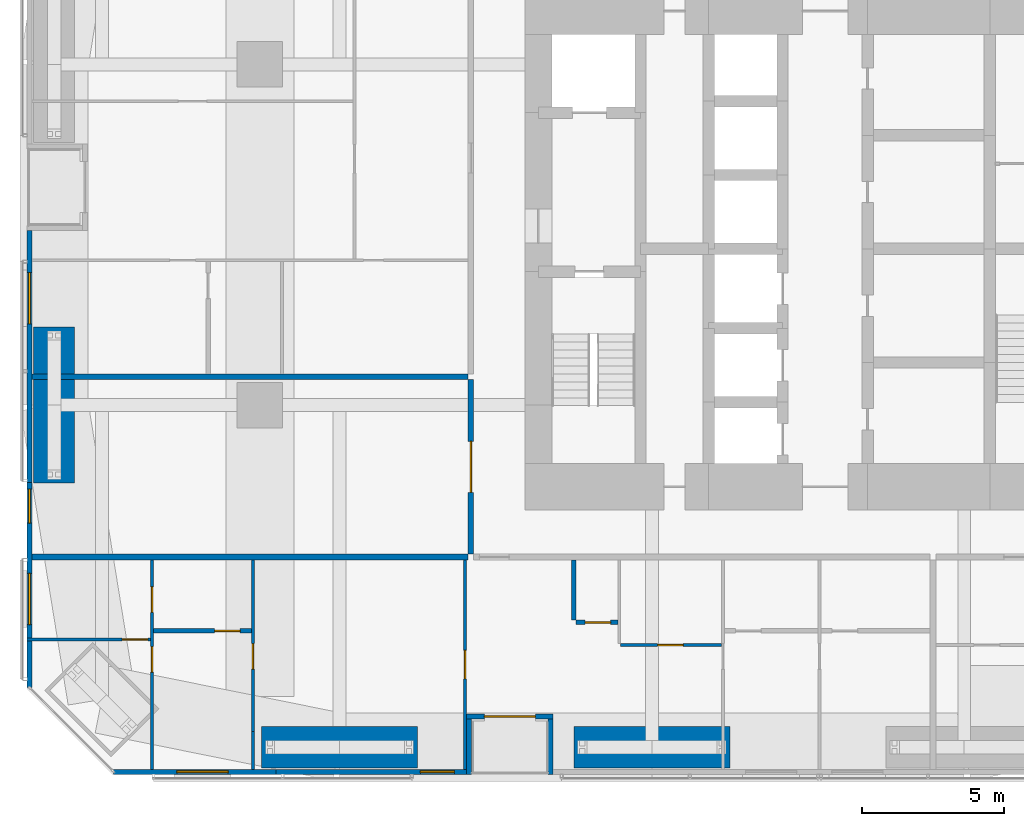
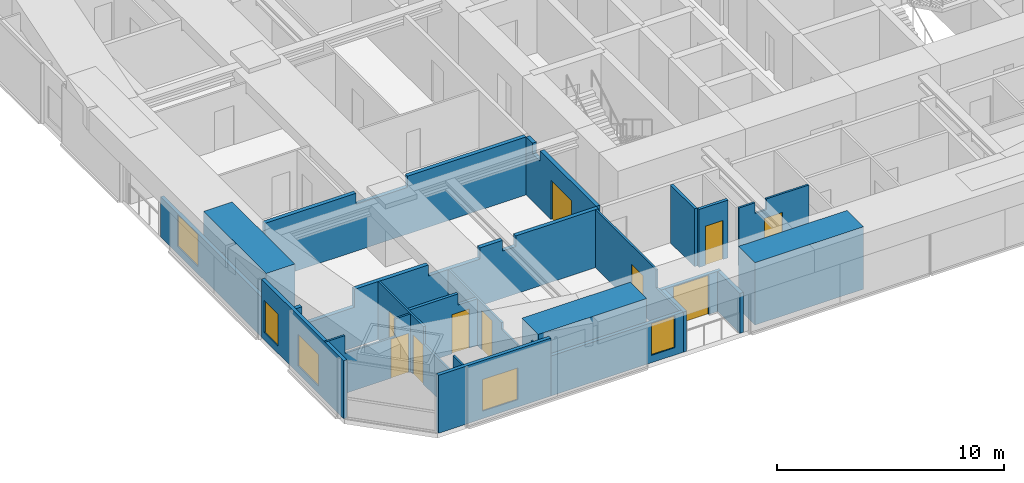
# One storey, part 15 of 22: 22 walls, 10 doors, 5 windows, 15 openings.
"""IFC4 building model written with IfcOpenShell, lengths in metres."""

from ifc_helpers import new_model, si_unit, direction, frame, frame_2d, origin, place, context, subcontext, project, spatial, polyline, rectangle, outline, extrude, material, layer, layer_set, constituent, constituent_set, type_object, element, fill, save


model = new_model("IFC4")

# Units and contexts
model_context = context("Model", 3, precision=1e-05, world=origin(), true_north=direction((0.0, 1.0)))
body_context = subcontext(model_context, "Body", "Model", "MODEL_VIEW")
ifc_project = project(units=[si_unit("LENGTHUNIT", "METRE"), si_unit("AREAUNIT", "SQUARE_METRE"), si_unit("VOLUMEUNIT", "CUBIC_METRE"), si_unit("PLANEANGLEUNIT", "RADIAN"), si_unit("MASSUNIT", "GRAM", prefix="KILO")], contexts=[model_context])

# Site, building, storey
site_placement = place(None, origin())
site = spatial("IfcSite", under=ifc_project, at=site_placement, CompositionType="ELEMENT")
building_placement = place(site_placement, origin())
building = spatial("IfcBuilding", under=site, at=building_placement, Name="Jalousie Tower", CompositionType="ELEMENT")
storey_placement = place(building_placement, frame((0.0, 0.0, 67.89990234375)))
storey = spatial("IfcBuildingStorey", under=building, at=storey_placement, Name="L18", CompositionType="ELEMENT", Elevation=67.89990234375)

# Wall, opening, door
ifc_material_1 = material(Name="Concrete block ASTM C90", Category="concrete")
ifc_constituent_1 = constituent(ifc_material_1, Name="Body")
ifc_material_2 = material(Name="Render")
ifc_constituent_2 = constituent(ifc_material_2, Name="Finish")
ifc_constituent_set_1 = constituent_set(constituents=[ifc_constituent_1, ifc_constituent_2])
wall_type_1 = type_object("IfcWallType", Name="BATHROOM WALL 150", PredefinedType="PLUMBINGWALL", material=ifc_constituent_set_1)
wall_1_placement = place(storey_placement, frame((6.449951171875, 5.050048828125, 0.0), z_axis=(0.0, 0.0, 1.0), x_axis=(1.0, 0.0, 0.0)))
wall_1 = element("IfcWall", 1, at=wall_1_placement, inside=storey, type_object=wall_type_1, Name="Bathroom Wall 150 L18", PredefinedType="PLUMBINGWALL", context=body_context, shape_type="SweptSolid", body=[
    extrude(outline(polyline([(0.0, 0.0), (3.449951171875, 0.0), (3.449951171875, 3.110107421875), (3.449951171875, 2.510009765625), (2.465087890625, 2.510009765625), (2.465087890625, 3.110107421875), (0.0, 3.110107421875), (0.0, 0.0)])), frame((0.0, 0.074951171875, 0.0), z_axis=(0.0, -1.0, 0.0), x_axis=(1.0, 0.0, 0.0)), (0.0, 0.0, 1.0), 0.14990234375),
])
opening_1_placement = place(wall_1_placement, frame((2.14990234375, 0.0, 0.0)))
opening_1 = element("IfcOpeningElement", 2, at=opening_1_placement, cuts=wall_1, Name="Opening D3", PredefinedType="OPENING", context=body_context, shape_type="SweptSolid", body=[
    extrude(rectangle(XDim=0.89990234375, YDim=2.10009765625, at=frame_2d((0.449951171875, 1.050048828125))), frame((0.0, 0.0849609375, 0.0), z_axis=(0.0, -1.0, 0.0), x_axis=(1.0, 0.0, 0.0)), (0.0, 0.0, 1.0), 0.169921875),
])
ifc_material_3 = material(Name="Timber door", Category="wood")
door_type_1 = type_object("IfcDoorType", Name="BATHROOM DOOR 900", OperationType="SINGLE_SWING_LEFT", PredefinedType="DOOR", material=ifc_material_3)
door_1_placement = place(opening_1_placement, origin())
door_1 = element("IfcDoor", 3, at=door_1_placement, inside=storey, type_object=door_type_1, Name="Apartment 1801 bedroom 2 bathroom door", OperationType="SINGLE_SWING_RIGHT", OverallHeight=2.10009765625, OverallWidth=0.89990234375, PredefinedType="DOOR", context=body_context, shape_type="SweptSolid", body=[
    extrude(rectangle(XDim=0.89990234375, YDim=2.10009765625, at=frame_2d((0.449951171875, 1.050048828125))), frame((0.0, 0.02490234375, 0.0), z_axis=(0.0, -1.0, 0.0), x_axis=(1.0, 0.0, 0.0)), (0.0, 0.0, 1.0), 0.050048828125),
])
fill(opening_1, door_1)

wall_2_placement = place(storey_placement, frame((21.324951171875, 5.35009765625, 0.0), z_axis=(0.0, 0.0, 1.0), x_axis=(1.0, 0.0, 0.0)))
wall_2 = element("IfcWall", 4, at=wall_2_placement, inside=storey, type_object=wall_type_1, Name="Bathroom Wall 150 L18", PredefinedType="PLUMBINGWALL", context=body_context, shape_type="SweptSolid", body=[
    extrude(rectangle(XDim=1.47509765625, YDim=0.14990234375, at=frame_2d((0.737548828125, 0.0))), origin(), (0.0, 0.0, 1.0), 3.110107421875),
])
opening_2_placement = place(wall_2_placement, frame((0.324951171875, 0.0, 0.0)))
opening_2 = element("IfcOpeningElement", 5, at=opening_2_placement, cuts=wall_2, Name="Opening D7", PredefinedType="OPENING", context=body_context, shape_type="SweptSolid", body=[
    extrude(rectangle(XDim=0.89990234375, YDim=2.10009765625, at=frame_2d((0.449951171875, 1.050048828125))), frame((0.0, 0.0849609375, 0.0), z_axis=(0.0, -1.0, 0.0), x_axis=(1.0, 0.0, 0.0)), (0.0, 0.0, 1.0), 0.169921875),
])
ifc_material_4 = material(Name="Timber door", Category="wood")
door_type_2 = type_object("IfcDoorType", Name="INTERNAL DOOR 900", OperationType="SINGLE_SWING_LEFT", PredefinedType="DOOR", material=ifc_material_4)
door_2_placement = place(opening_2_placement, origin())
door_2 = element("IfcDoor", 6, at=door_2_placement, inside=storey, type_object=door_type_2, Name="Apartment 1801 guest WC door", OperationType="SINGLE_SWING_RIGHT", OverallHeight=2.10009765625, OverallWidth=0.89990234375, PredefinedType="DOOR", context=body_context, shape_type="SweptSolid", body=[
    extrude(rectangle(XDim=0.89990234375, YDim=2.10009765625, at=frame_2d((0.449951171875, 1.050048828125))), frame((0.0, 0.02490234375, 0.0), z_axis=(0.0, -1.0, 0.0), x_axis=(1.0, 0.0, 0.0)), (0.0, 0.0, 1.0), 0.050048828125),
])
fill(opening_2, door_2)

# Wall
wall_3_placement = place(storey_placement, frame((21.25, 5.425048828125, 0.0), z_axis=(0.0, 0.0, 1.0), x_axis=(0.0, 1.0, 0.0)))
element("IfcWall", 7, at=wall_3_placement, inside=storey, type_object=wall_type_1, Name="Bathroom Wall 150 L18", PredefinedType="PLUMBINGWALL", context=body_context, shape_type="SweptSolid", body=[
    extrude(rectangle(XDim=2.125, YDim=0.14990234375, at=frame_2d((1.0625, 0.0))), origin(), (0.0, 0.0, 1.0), 3.110107421875),
])

# Wall, opening, door
ifc_material_5 = material(Name="Concrete block ASTM C90", Category="concrete")
ifc_constituent_3 = constituent(ifc_material_5, Name="Body")
ifc_material_6 = material(Name="Render")
ifc_constituent_4 = constituent(ifc_material_6, Name="Finish")
ifc_constituent_set_2 = constituent_set(constituents=[ifc_constituent_3, ifc_constituent_4])
wall_type_2 = type_object("IfcWallType", Name="CORRIDOR WALL 200", PredefinedType="PARTITIONING", material=ifc_constituent_set_2)
wall_4_placement = place(storey_placement, frame((17.625, 7.75, 0.0), z_axis=(0.0, 0.0, 1.0), x_axis=(0.0, 1.0, 0.0)))
wall_4 = element("IfcWall", 8, at=wall_4_placement, inside=storey, type_object=wall_type_2, Name="Corridor Wall 200 L18", PredefinedType="PARTITIONING", context=body_context, shape_type="SweptSolid", body=[
    extrude(outline(polyline([(0.0, 0.0), (6.14990234375, 0.0), (6.14990234375, 3.110107421875), (5.58740234375, 3.110107421875), (5.58740234375, 2.541015625), (4.91259765625, 2.541015625), (4.91259765625, 3.110107421875), (0.0, 3.110107421875), (0.0, 0.0)])), frame((0.0, 0.10009765625, 0.0), z_axis=(0.0, -1.0, 0.0), x_axis=(1.0, 0.0, 0.0)), (0.0, 0.0, 1.0), 0.199951171875),
])
opening_3_placement = place(wall_4_placement, frame((2.175048828125, 0.0, 0.0)))
opening_3 = element("IfcOpeningElement", 9, at=opening_3_placement, cuts=wall_4, Name="Opening D22", PredefinedType="OPENING", context=body_context, shape_type="SweptSolid", body=[
    extrude(rectangle(XDim=1.800048828125, YDim=2.10009765625, at=frame_2d((0.89990234375, 1.050048828125))), frame((0.0, 0.10986328125, 0.0), z_axis=(0.0, -1.0, 0.0), x_axis=(1.0, 0.0, 0.0)), (0.0, 0.0, 1.0), 0.219970703125),
])
ifc_material_7 = material(Name="Timber fire door", Category="wood")
door_type_3 = type_object("IfcDoorType", Name="CORRIDOR DOUBLE DOOR 1800", OperationType="DOUBLE_DOOR_SINGLE_SWING", PredefinedType="DOOR", material=ifc_material_7)
door_3_placement = place(opening_3_placement, origin())
door_3 = element("IfcDoor", 10, at=door_3_placement, inside=storey, type_object=door_type_3, Name="Residents' study door", OperationType="DOUBLE_DOOR_SINGLE_SWING", OverallHeight=2.10009765625, OverallWidth=1.800048828125, PredefinedType="DOOR", context=body_context, shape_type="SweptSolid", body=[
    extrude(rectangle(XDim=1.800048828125, YDim=2.10009765625, at=frame_2d((0.89990234375, 1.050048828125))), frame((0.0, 0.02490234375, 0.0), z_axis=(0.0, -1.0, 0.0), x_axis=(1.0, 0.0, 0.0)), (0.0, 0.0, 1.0), 0.050048828125),
])
fill(opening_3, door_3)

# Wall, opening, window
ifc_material_8 = material(Name="Concrete f'c 40 MPa", Category="concrete")
ifc_constituent_5 = constituent(ifc_material_8, Name="Body")
ifc_material_9 = material(Name="Render, pastel coral")
ifc_constituent_6 = constituent(ifc_material_9, Name="Finish")
ifc_constituent_set_3 = constituent_set(constituents=[ifc_constituent_5, ifc_constituent_6])
wall_type_3 = type_object("IfcWallType", Name="EXTERNAL WALL 175 CORAL RENDER", PredefinedType="SOLIDWALL", material=ifc_constituent_set_3)
wall_5_placement = place(storey_placement, frame((5.05126953125, 0.08740234375, 0.0), z_axis=(0.0, 0.0, 1.0), x_axis=(1.0, 0.0, 0.0)))
wall_5 = element("IfcWall", 11, at=wall_5_placement, inside=storey, type_object=wall_type_3, Name="External Wall 175 Coral Render L18-A", PredefinedType="SOLIDWALL", context=body_context, shape_type="SweptSolid", body=[
    extrude(rectangle(XDim=5.714111328125, YDim=0.175048828125, at=frame_2d((2.85693359375, 0.0))), origin(), (0.0, 0.0, 1.0), 3.110107421875),
])
opening_4_placement = place(wall_5_placement, frame((2.2236328125, 0.0, 0.39990234375)))
opening_4 = element("IfcOpeningElement", 12, at=opening_4_placement, cuts=wall_5, Name="Opening W-BED170", PredefinedType="OPENING", context=body_context, shape_type="SweptSolid", body=[
    extrude(rectangle(XDim=1.800048828125, YDim=1.699951171875, at=frame_2d((0.89990234375, 0.85009765625))), frame((0.0, 0.097412109375, 0.0), z_axis=(0.0, -1.0, 0.0), x_axis=(1.0, 0.0, 0.0)), (0.0, 0.0, 1.0), 0.195068359375),
])
ifc_material_10 = material(Name="Aluminium frame, impact-rated glazing", Category="aluminium")
window_type_1 = type_object("IfcWindowType", Name="WINDOW BED 1800x1700", PartitioningType="SINGLE_PANEL", PredefinedType="WINDOW", material=ifc_material_10)
window_1_placement = place(opening_4_placement, origin())
window_1 = element("IfcWindow", 13, at=window_1_placement, inside=storey, type_object=window_type_1, Name="Apartment 1801 bedroom 2 window", OverallHeight=1.699951171875, OverallWidth=1.800048828125, PartitioningType="SINGLE_PANEL", PredefinedType="WINDOW", context=body_context, shape_type="SweptSolid", body=[
    extrude(rectangle(XDim=1.800048828125, YDim=1.699951171875, at=frame_2d((0.89990234375, 0.85009765625))), frame((0.0, 0.030029296875, 0.0), z_axis=(0.0, -1.0, 0.0), x_axis=(1.0, 0.0, 0.0)), (0.0, 0.0, 1.0), 0.06005859375),
])
fill(opening_4, window_1)

wall_6_placement = place(storey_placement, frame((10.765380859375, 0.08740234375, 0.0), z_axis=(0.0, 0.0, 1.0), x_axis=(1.0, 0.0, 0.0)))
wall_6 = element("IfcWall", 14, at=wall_6_placement, inside=storey, type_object=wall_type_3, Name="External Wall 175 Coral Render L18-B", PredefinedType="SOLIDWALL", context=body_context, shape_type="SweptSolid", body=[
    extrude(rectangle(XDim=6.709716796875, YDim=0.175048828125, at=frame_2d((3.35498046875, 0.0))), origin(), (0.0, 0.0, 1.0), 2.150146484375),
])
opening_5_placement = place(wall_6_placement, frame((5.084716796875, 0.0, 0.39990234375)))
opening_5 = element("IfcOpeningElement", 15, at=opening_5_placement, cuts=wall_6, Name="Opening W-COR170", PredefinedType="OPENING", context=body_context, shape_type="SweptSolid", body=[
    extrude(rectangle(XDim=1.199951171875, YDim=1.699951171875, at=frame_2d((0.60009765625, 0.85009765625))), frame((0.0, 0.097412109375, 0.0), z_axis=(0.0, -1.0, 0.0), x_axis=(1.0, 0.0, 0.0)), (0.0, 0.0, 1.0), 0.195068359375),
])
ifc_material_11 = material(Name="Aluminium frame, impact-rated glazing", Category="aluminium")
window_type_2 = type_object("IfcWindowType", Name="WINDOW COR 1200x1700", PartitioningType="SINGLE_PANEL", PredefinedType="WINDOW", material=ifc_material_11)
window_2_placement = place(opening_5_placement, origin())
window_2 = element("IfcWindow", 16, at=window_2_placement, inside=storey, type_object=window_type_2, Name="Apartment 1801 dining room window", OverallHeight=1.699951171875, OverallWidth=1.199951171875, PartitioningType="SINGLE_PANEL", PredefinedType="WINDOW", context=body_context, shape_type="SweptSolid", body=[
    extrude(rectangle(XDim=1.199951171875, YDim=1.699951171875, at=frame_2d((0.60009765625, 0.85009765625))), frame((0.0, 0.030029296875, 0.0), z_axis=(0.0, -1.0, 0.0), x_axis=(1.0, 0.0, 0.0)), (0.0, 0.0, 1.0), 0.06005859375),
])
fill(opening_5, window_2)

# Wall, opening, door
wall_7_placement = place(storey_placement, frame((17.47509765625, 2.03759765625, 0.0), z_axis=(0.0, 0.0, 1.0), x_axis=(1.0, 0.0, 0.0)))
wall_7 = element("IfcWall", 17, at=wall_7_placement, inside=storey, type_object=wall_type_3, Name="External Wall 175 Coral Render L18", PredefinedType="SOLIDWALL", context=body_context, shape_type="SweptSolid", body=[
    extrude(rectangle(XDim=3.0498046875, YDim=0.175048828125, at=frame_2d((1.52490234375, 0.0))), origin(), (0.0, 0.0, 1.0), 2.150146484375),
])
opening_6_placement = place(wall_7_placement, frame((0.625, 0.0, 0.0)))
opening_6 = element("IfcOpeningElement", 18, at=opening_6_placement, cuts=wall_7, Name="Opening D-BAL21", PredefinedType="OPENING", context=body_context, shape_type="SweptSolid", body=[
    extrude(rectangle(XDim=1.800048828125, YDim=2.10009765625, at=frame_2d((0.89990234375, 1.050048828125))), frame((0.0, 0.097412109375, 0.0), z_axis=(0.0, -1.0, 0.0), x_axis=(1.0, 0.0, 0.0)), (0.0, 0.0, 1.0), 0.195068359375),
])
ifc_material_12 = material(Name="Aluminium frame, impact-rated glazing", Category="aluminium")
door_type_4 = type_object("IfcDoorType", Name="BALCONY DOOR 1800x2100", OperationType="SLIDING_TO_LEFT", PredefinedType="DOOR", material=ifc_material_12)
door_4_placement = place(opening_6_placement, origin())
door_4 = element("IfcDoor", 19, at=door_4_placement, inside=storey, type_object=door_type_4, Name="Apartment 1801 living room loggia door", OperationType="SLIDING_TO_LEFT", OverallHeight=2.10009765625, OverallWidth=1.800048828125, PredefinedType="DOOR", context=body_context, shape_type="SweptSolid", body=[
    extrude(rectangle(XDim=1.800048828125, YDim=2.10009765625, at=frame_2d((0.89990234375, 1.050048828125))), frame((0.0, 0.02490234375, 0.0), z_axis=(0.0, -1.0, 0.0), x_axis=(1.0, 0.0, 0.0)), (0.0, 0.0, 1.0), 0.050048828125),
])
fill(opening_6, door_4)

# Walls
for number, where, z_axis, x_axis, name in (
    (20, (17.5625, 0.0, 0.0), (0.0, 0.0, 1.0), (0.0, 1.0, 0.0), "External Wall 175 Coral Render L18"),
    (21, (20.4375, 0.0, 0.0), (0.0, 0.0, 1.0), (0.0, 1.0, 0.0), "External Wall 175 Coral Render L18"),
):
    element("IfcWall", number, at=place(storey_placement, frame(where, z_axis=z_axis, x_axis=x_axis)), inside=storey, type_object=wall_type_3, Name=name, PredefinedType="SOLIDWALL", context=body_context, shape_type="SweptSolid", body=[
        extrude(rectangle(XDim=1.949951171875, YDim=0.175048828125, at=frame_2d((0.97509765625, 0.0))), origin(), (0.0, 0.0, 1.0), 2.150146484375),
    ])

# Wall, opening, window
wall_8_placement = place(storey_placement, frame((2.08740234375, 19.14990234375, 0.0), z_axis=(0.0, 0.0, 1.0), x_axis=(0.0, -1.0, 0.0)))
wall_8 = element("IfcWall", 22, at=wall_8_placement, inside=storey, type_object=wall_type_3, Name="External Wall 175 Coral Render L18-A", PredefinedType="SOLIDWALL", context=body_context, shape_type="SweptSolid", body=[
    extrude(rectangle(XDim=8.867431640625, YDim=0.175048828125, at=frame_2d((4.43359375, 0.0))), origin(), (0.0, 0.0, 1.0), 2.150146484375),
])
opening_7_placement = place(wall_8_placement, frame((1.487548828125, 0.0, 0.39990234375)))
opening_7 = element("IfcOpeningElement", 23, at=opening_7_placement, cuts=wall_8, Name="Opening W-BED170", PredefinedType="OPENING", context=body_context, shape_type="SweptSolid", body=[
    extrude(rectangle(XDim=1.800048828125, YDim=1.699951171875, at=frame_2d((0.89990234375, 0.85009765625))), frame((0.0, 0.097412109375, 0.0), z_axis=(0.0, -1.0, 0.0), x_axis=(1.0, 0.0, 0.0)), (0.0, 0.0, 1.0), 0.195068359375),
])
window_3_placement = place(opening_7_placement, origin())
window_3 = element("IfcWindow", 24, at=window_3_placement, inside=storey, type_object=window_type_1, Name="Apartment 1805 bedroom 1 window", OverallHeight=1.699951171875, OverallWidth=1.800048828125, PartitioningType="SINGLE_PANEL", PredefinedType="WINDOW", context=body_context, shape_type="SweptSolid", body=[
    extrude(rectangle(XDim=1.800048828125, YDim=1.699951171875, at=frame_2d((0.89990234375, 0.85009765625))), frame((0.0, 0.030029296875, 0.0), z_axis=(0.0, -1.0, 0.0), x_axis=(1.0, 0.0, 0.0)), (0.0, 0.0, 1.0), 0.06005859375),
])
fill(opening_7, window_3)

# Wall, openings, windows
wall_9_placement = place(storey_placement, frame((2.08740234375, 10.282470703125, 0.0), z_axis=(0.0, 0.0, 1.0), x_axis=(0.0, -1.0, 0.0)))
wall_9 = element("IfcWall", 25, at=wall_9_placement, inside=storey, type_object=wall_type_3, Name="External Wall 175 Coral Render L18-B", PredefinedType="SOLIDWALL", context=body_context, shape_type="SweptSolid", body=[
    extrude(rectangle(XDim=7.231201171875, YDim=0.175048828125, at=frame_2d((3.61572265625, 0.0))), origin(), (0.0, 0.0, 1.0), 3.110107421875),
])
opening_8_placement = place(wall_9_placement, frame((0.23876953125, 0.0, 0.39990234375)))
opening_8 = element("IfcOpeningElement", 26, at=opening_8_placement, cuts=wall_9, Name="Opening W-COR170", PredefinedType="OPENING", context=body_context, shape_type="SweptSolid", body=[
    extrude(rectangle(XDim=1.199951171875, YDim=1.699951171875, at=frame_2d((0.60009765625, 0.85009765625))), frame((0.0, 0.097412109375, 0.0), z_axis=(0.0, -1.0, 0.0), x_axis=(1.0, 0.0, 0.0)), (0.0, 0.0, 1.0), 0.195068359375),
])
opening_9_placement = place(wall_9_placement, frame((3.209228515625, 0.0, 0.39990234375)))
opening_9 = element("IfcOpeningElement", 27, at=opening_9_placement, cuts=wall_9, Name="Opening W-BED170", PredefinedType="OPENING", context=body_context, shape_type="SweptSolid", body=[
    extrude(rectangle(XDim=1.800048828125, YDim=1.699951171875, at=frame_2d((0.89990234375, 0.85009765625))), frame((0.0, 0.097412109375, 0.0), z_axis=(0.0, -1.0, 0.0), x_axis=(1.0, 0.0, 0.0)), (0.0, 0.0, 1.0), 0.195068359375),
])
window_4_placement = place(opening_9_placement, origin())
window_4 = element("IfcWindow", 28, at=window_4_placement, inside=storey, type_object=window_type_1, Name="Apartment 1801 bedroom 1 window", OverallHeight=1.699951171875, OverallWidth=1.800048828125, PartitioningType="SINGLE_PANEL", PredefinedType="WINDOW", context=body_context, shape_type="SweptSolid", body=[
    extrude(rectangle(XDim=1.800048828125, YDim=1.699951171875, at=frame_2d((0.89990234375, 0.85009765625))), frame((0.0, 0.030029296875, 0.0), z_axis=(0.0, -1.0, 0.0), x_axis=(1.0, 0.0, 0.0)), (0.0, 0.0, 1.0), 0.06005859375),
])
fill(opening_9, window_4)
window_5_placement = place(opening_8_placement, origin())
window_5 = element("IfcWindow", 29, at=window_5_placement, inside=storey, type_object=window_type_2, Name="Residents' study window", OverallHeight=1.699951171875, OverallWidth=1.199951171875, PartitioningType="SINGLE_PANEL", PredefinedType="WINDOW", context=body_context, shape_type="SweptSolid", body=[
    extrude(rectangle(XDim=1.199951171875, YDim=1.699951171875, at=frame_2d((0.60009765625, 0.85009765625))), frame((0.0, 0.030029296875, 0.0), z_axis=(0.0, -1.0, 0.0), x_axis=(1.0, 0.0, 0.0)), (0.0, 0.0, 1.0), 0.06005859375),
])
fill(opening_8, window_5)

# Wall, openings, doors
ifc_material_13 = material(Name="Gypsum board", Category="gypsum")
ifc_constituent_7 = constituent(ifc_material_13, Name="Body")
ifc_material_14 = material(Name="Light-gauge steel studs ASTM A653 SS Grade 33", Category="steel")
ifc_constituent_8 = constituent(ifc_material_14, Name="Framing")
ifc_constituent_set_4 = constituent_set(constituents=[ifc_constituent_7, ifc_constituent_8])
wall_type_4 = type_object("IfcWallType", Name="PARTITION 100", PredefinedType="PARTITIONING", material=ifc_constituent_set_4)
wall_10_placement = place(storey_placement, frame((6.39990234375, 0.175048828125, 0.0), z_axis=(0.0, 0.0, 1.0), x_axis=(0.0, 1.0, 0.0)))
wall_10 = element("IfcWall", 30, at=wall_10_placement, inside=storey, type_object=wall_type_4, Name="Partition 100 L18", PredefinedType="PARTITIONING", context=body_context, shape_type="SweptSolid", body=[
    extrude(outline(polyline([(0.0, 0.0), (7.375, 0.0), (7.375, 3.110107421875), (3.38623046875, 3.110107421875), (3.38623046875, 2.150146484375), (0.81591796875, 2.150146484375), (0.81591796875, 3.110107421875), (0.0, 3.110107421875), (0.0, 0.0)])), frame((0.0, 0.050048828125, 0.0), z_axis=(0.0, -1.0, 0.0), x_axis=(1.0, 0.0, 0.0)), (0.0, 0.0, 1.0), 0.10009765625),
])
opening_10_placement = place(wall_10_placement, frame((3.421630859375, 0.0, 0.0)))
opening_10 = element("IfcOpeningElement", 31, at=opening_10_placement, cuts=wall_10, Name="Opening D2", PredefinedType="OPENING", context=body_context, shape_type="SweptSolid", body=[
    extrude(rectangle(XDim=0.89990234375, YDim=2.10009765625, at=frame_2d((0.449951171875, 1.050048828125))), frame((0.0, 0.06005859375, 0.0), z_axis=(0.0, -1.0, 0.0), x_axis=(1.0, 0.0, 0.0)), (0.0, 0.0, 1.0), 0.1201171875),
])
opening_11_placement = place(wall_10_placement, frame((5.523193359375, 0.0, 0.0)))
opening_11 = element("IfcOpeningElement", 32, at=opening_11_placement, cuts=wall_10, Name="Opening D3", PredefinedType="OPENING", context=body_context, shape_type="SweptSolid", body=[
    extrude(rectangle(XDim=0.89990234375, YDim=2.10009765625, at=frame_2d((0.449951171875, 1.050048828125))), frame((0.0, 0.06005859375, 0.0), z_axis=(0.0, -1.0, 0.0), x_axis=(1.0, 0.0, 0.0)), (0.0, 0.0, 1.0), 0.1201171875),
])
door_5_placement = place(opening_11_placement, frame((0.89990234375, 0.0, 0.0), z_axis=(0.0, 0.0, 1.0), x_axis=(-1.0, 0.0, 0.0)))
door_5 = element("IfcDoor", 33, at=door_5_placement, inside=storey, type_object=door_type_1, Name="Apartment 1801 bedroom 1 bathroom door", OperationType="SINGLE_SWING_RIGHT", OverallHeight=2.10009765625, OverallWidth=0.89990234375, PredefinedType="DOOR", context=body_context, shape_type="SweptSolid", body=[
    extrude(rectangle(XDim=0.89990234375, YDim=2.10009765625, at=frame_2d((0.449951171875, 1.050048828125))), frame((0.0, 0.02490234375, 0.0), z_axis=(0.0, -1.0, 0.0), x_axis=(1.0, 0.0, 0.0)), (0.0, 0.0, 1.0), 0.050048828125),
])
fill(opening_11, door_5)
ifc_material_15 = material(Name="Timber door", Category="wood")
door_type_5 = type_object("IfcDoorType", Name="BEDROOM DOOR 900", OperationType="SINGLE_SWING_LEFT", PredefinedType="DOOR", material=ifc_material_15)
door_6_placement = place(opening_10_placement, frame((0.89990234375, 0.0, 0.0), z_axis=(0.0, 0.0, 1.0), x_axis=(-1.0, 0.0, 0.0)))
door_6 = element("IfcDoor", 34, at=door_6_placement, inside=storey, type_object=door_type_5, Name="Apartment 1801 bedroom 1 door", OperationType="SINGLE_SWING_LEFT", OverallHeight=2.10009765625, OverallWidth=0.89990234375, PredefinedType="DOOR", context=body_context, shape_type="SweptSolid", body=[
    extrude(rectangle(XDim=0.89990234375, YDim=2.10009765625, at=frame_2d((0.449951171875, 1.050048828125))), frame((0.0, 0.02490234375, 0.0), z_axis=(0.0, -1.0, 0.0), x_axis=(1.0, 0.0, 0.0)), (0.0, 0.0, 1.0), 0.050048828125),
])
fill(opening_10, door_6)

# Wall
wall_11_placement = place(storey_placement, frame((9.949951171875, 0.175048828125, 0.0), z_axis=(0.0, 0.0, 1.0), x_axis=(0.0, 1.0, 0.0)))
element("IfcWall", 35, at=wall_11_placement, inside=storey, type_object=wall_type_4, Name="Partition 100 L18-A", PredefinedType="PARTITIONING", context=body_context, shape_type="SweptSolid", body=[
    extrude(outline(polyline([(0.0, 0.0), (1.337646484375, 0.0), (1.337646484375, 2.150146484375), (0.1025390625, 2.150146484375), (0.1025390625, 3.110107421875), (0.0, 3.110107421875), (0.0, 0.0)])), frame((0.0, 0.050048828125, 0.0), z_axis=(0.0, -1.0, 0.0), x_axis=(1.0, 0.0, 0.0)), (0.0, 0.0, 1.0), 0.10009765625),
])

# Wall, opening, door
wall_12_placement = place(storey_placement, frame((9.949951171875, 1.5126953125, 0.0), z_axis=(0.0, 0.0, 1.0), x_axis=(0.0, 1.0, 0.0)))
wall_12 = element("IfcWall", 36, at=wall_12_placement, inside=storey, type_object=wall_type_4, Name="Partition 100 L18-B", PredefinedType="PARTITIONING", context=body_context, shape_type="SweptSolid", body=[
    extrude(outline(polyline([(0.0, 0.0), (6.037353515625, 0.0), (6.037353515625, 2.510009765625), (1.33544921875, 2.510009765625), (1.33544921875, 2.150146484375), (0.0, 2.150146484375), (0.0, 0.0)])), frame((0.0, 0.050048828125, 0.0), z_axis=(0.0, -1.0, 0.0), x_axis=(1.0, 0.0, 0.0)), (0.0, 0.0, 1.0), 0.10009765625),
])
opening_12_placement = place(wall_12_placement, frame((2.1875, 0.0, 0.0)))
opening_12 = element("IfcOpeningElement", 37, at=opening_12_placement, cuts=wall_12, Name="Opening D2", PredefinedType="OPENING", context=body_context, shape_type="SweptSolid", body=[
    extrude(rectangle(XDim=0.89990234375, YDim=2.10009765625, at=frame_2d((0.449951171875, 1.050048828125))), frame((0.0, 0.06005859375, 0.0), z_axis=(0.0, -1.0, 0.0), x_axis=(1.0, 0.0, 0.0)), (0.0, 0.0, 1.0), 0.1201171875),
])
door_7_placement = place(opening_12_placement, origin())
door_7 = element("IfcDoor", 38, at=door_7_placement, inside=storey, type_object=door_type_5, Name="Apartment 1801 bedroom 2 door", OperationType="SINGLE_SWING_RIGHT", OverallHeight=2.10009765625, OverallWidth=0.89990234375, PredefinedType="DOOR", context=body_context, shape_type="SweptSolid", body=[
    extrude(rectangle(XDim=0.89990234375, YDim=2.10009765625, at=frame_2d((0.449951171875, 1.050048828125))), frame((0.0, 0.02490234375, 0.0), z_axis=(0.0, -1.0, 0.0), x_axis=(1.0, 0.0, 0.0)), (0.0, 0.0, 1.0), 0.050048828125),
])
fill(opening_12, door_7)

wall_13_placement = place(storey_placement, frame((2.0, 4.74658203125, 0.0), z_axis=(0.0, 0.0, 1.0), x_axis=(1.0, 0.0, 0.0)))
wall_13 = element("IfcWall", 39, at=wall_13_placement, inside=storey, type_object=wall_type_4, Name="Partition 100 L18", PredefinedType="PARTITIONING", context=body_context, shape_type="SweptSolid", body=[
    extrude(outline(polyline([(0.0, 0.0), (4.35009765625, 0.0), (4.35009765625, 3.110107421875), (3.564697265625, 3.110107421875), (3.564697265625, 2.150146484375), (1.011962890625, 2.150146484375), (1.011962890625, 3.110107421875), (0.0, 3.110107421875), (0.0, 0.0)])), frame((0.0, 0.050048828125, 0.0), z_axis=(0.0, -1.0, 0.0), x_axis=(1.0, 0.0, 0.0)), (0.0, 0.0, 1.0), 0.10009765625),
])
opening_13_placement = place(wall_13_placement, frame((3.35009765625, 0.0, 0.0)))
opening_13 = element("IfcOpeningElement", 40, at=opening_13_placement, cuts=wall_13, Name="Opening D7", PredefinedType="OPENING", context=body_context, shape_type="SweptSolid", body=[
    extrude(rectangle(XDim=0.89990234375, YDim=2.10009765625, at=frame_2d((0.449951171875, 1.050048828125))), frame((0.0, 0.06005859375, 0.0), z_axis=(0.0, -1.0, 0.0), x_axis=(1.0, 0.0, 0.0)), (0.0, 0.0, 1.0), 0.1201171875),
])
door_8_placement = place(opening_13_placement, origin())
door_8 = element("IfcDoor", 41, at=door_8_placement, inside=storey, type_object=door_type_2, Name="Apartment 1801 bedroom 1 dressing hall door", OperationType="SINGLE_SWING_RIGHT", OverallHeight=2.10009765625, OverallWidth=0.89990234375, PredefinedType="DOOR", context=body_context, shape_type="SweptSolid", body=[
    extrude(rectangle(XDim=0.89990234375, YDim=2.10009765625, at=frame_2d((0.449951171875, 1.050048828125))), frame((0.0, 0.02490234375, 0.0), z_axis=(0.0, -1.0, 0.0), x_axis=(1.0, 0.0, 0.0)), (0.0, 0.0, 1.0), 0.050048828125),
])
fill(opening_13, door_8)

wall_14_placement = place(storey_placement, frame((22.89990234375, 4.550048828125, 0.0), z_axis=(0.0, 0.0, 1.0), x_axis=(1.0, 0.0, 0.0)))
wall_14 = element("IfcWall", 42, at=wall_14_placement, inside=storey, type_object=wall_type_4, Name="Partition 100 L18", PredefinedType="PARTITIONING", context=body_context, shape_type="SweptSolid", body=[
    extrude(outline(polyline([(0.0, 0.0), (3.550048828125, 0.0), (3.550048828125, 3.110107421875), (1.38720703125, 3.110107421875), (1.38720703125, 2.541015625), (0.8125, 2.541015625), (0.8125, 3.110107421875), (0.0, 3.110107421875), (0.0, 0.0)])), frame((0.0, 0.050048828125, 0.0), z_axis=(0.0, -1.0, 0.0), x_axis=(1.0, 0.0, 0.0)), (0.0, 0.0, 1.0), 0.10009765625),
])
opening_14_placement = place(wall_14_placement, frame((1.300048828125, 0.0, 0.0)))
opening_14 = element("IfcOpeningElement", 43, at=opening_14_placement, cuts=wall_14, Name="Opening D7", PredefinedType="OPENING", context=body_context, shape_type="SweptSolid", body=[
    extrude(rectangle(XDim=0.89990234375, YDim=2.10009765625, at=frame_2d((0.449951171875, 1.050048828125))), frame((0.0, 0.06005859375, 0.0), z_axis=(0.0, -1.0, 0.0), x_axis=(1.0, 0.0, 0.0)), (0.0, 0.0, 1.0), 0.1201171875),
])
door_9_placement = place(opening_14_placement, origin())
door_9 = element("IfcDoor", 44, at=door_9_placement, inside=storey, type_object=door_type_2, Name="Apartment 1801 kitchen door", OperationType="SINGLE_SWING_LEFT", OverallHeight=2.10009765625, OverallWidth=0.89990234375, PredefinedType="DOOR", context=body_context, shape_type="SweptSolid", body=[
    extrude(rectangle(XDim=0.89990234375, YDim=2.10009765625, at=frame_2d((0.449951171875, 1.050048828125))), frame((0.0, 0.02490234375, 0.0), z_axis=(0.0, -1.0, 0.0), x_axis=(1.0, 0.0, 0.0)), (0.0, 0.0, 1.0), 0.050048828125),
])
fill(opening_14, door_9)

wall_15_placement = place(storey_placement, frame((17.425048828125, 0.175048828125, 0.0), z_axis=(0.0, 0.0, 1.0), x_axis=(0.0, 1.0, 0.0)))
wall_15 = element("IfcWall", 45, at=wall_15_placement, inside=storey, type_object=wall_type_4, Name="Partition 100 L18", PredefinedType="PARTITIONING", context=body_context, shape_type="SweptSolid", body=[
    extrude(outline(polyline([(0.0, 0.0), (7.375, 0.0), (7.375, 3.110107421875), (2.034912109375, 3.110107421875), (2.034912109375, 2.150146484375), (0.0, 2.150146484375), (0.0, 3.110107421875), (0.0, 0.0)])), frame((0.0, 0.050048828125, 0.0), z_axis=(0.0, -1.0, 0.0), x_axis=(1.0, 0.0, 0.0)), (0.0, 0.0, 1.0), 0.10009765625),
])
opening_15_placement = place(wall_15_placement, frame((3.1875, 0.0, 0.0)))
opening_15 = element("IfcOpeningElement", 46, at=opening_15_placement, cuts=wall_15, Name="Opening D6", PredefinedType="OPENING", context=body_context, shape_type="SweptSolid", body=[
    extrude(rectangle(XDim=1.0, YDim=2.10009765625, at=frame_2d((0.5, 1.050048828125))), frame((0.0, 0.06005859375, 0.0), z_axis=(0.0, -1.0, 0.0), x_axis=(1.0, 0.0, 0.0)), (0.0, 0.0, 1.0), 0.1201171875),
])
ifc_material_16 = material(Name="Timber door", Category="wood")
door_type_6 = type_object("IfcDoorType", Name="INTERNAL DOOR 1000", OperationType="SINGLE_SWING_LEFT", PredefinedType="DOOR", material=ifc_material_16)
door_10_placement = place(opening_15_placement, origin())
door_10 = element("IfcDoor", 47, at=door_10_placement, inside=storey, type_object=door_type_6, Name="Apartment 1801 dining room door", OperationType="SINGLE_SWING_LEFT", OverallHeight=2.10009765625, OverallWidth=1.0, PredefinedType="DOOR", context=body_context, shape_type="SweptSolid", body=[
    extrude(rectangle(XDim=1.0, YDim=2.10009765625, at=frame_2d((0.5, 1.050048828125))), frame((0.0, 0.02490234375, 0.0), z_axis=(0.0, -1.0, 0.0), x_axis=(1.0, 0.0, 0.0)), (0.0, 0.0, 1.0), 0.050048828125),
])
fill(opening_15, door_10)

# Walls
ifc_material_17 = material(Name="Concrete block ASTM C90", Category="concrete")
ifc_constituent_9 = constituent(ifc_material_17, Name="Body")
ifc_material_18 = material(Name="Render")
ifc_constituent_10 = constituent(ifc_material_18, Name="Finish")
ifc_constituent_set_5 = constituent_set(constituents=[ifc_constituent_9, ifc_constituent_10])
wall_type_5 = type_object("IfcWallType", Name="PARTY WALL 200", PredefinedType="PARTITIONING", material=ifc_constituent_set_5)
wall_16_placement = place(storey_placement, frame((2.0, 7.64990234375, 0.0), z_axis=(0.0, 0.0, 1.0), x_axis=(1.0, 0.0, 0.0)))
element("IfcWall", 48, at=wall_16_placement, inside=storey, type_object=wall_type_5, Name="Party Wall 200 L18", PredefinedType="PARTITIONING", context=body_context, shape_type="SweptSolid", body=[
    extrude(outline(polyline([(0.0, 0.0), (15.52490234375, 0.0), (15.52490234375, 3.110107421875), (11.33740234375, 3.110107421875), (11.33740234375, 2.541015625), (10.66259765625, 2.541015625), (10.66259765625, 3.110107421875), (9.510009765625, 3.110107421875), (9.510009765625, 2.510009765625), (6.889892578125, 2.510009765625), (6.889892578125, 3.110107421875), (3.144775390625, 3.110107421875), (3.144775390625, 2.150146484375), (0.490478515625, 2.150146484375), (0.490478515625, 3.110107421875), (0.0, 3.110107421875), (0.0, 0.0)])), frame((0.0, 0.10009765625, 0.0), z_axis=(0.0, -1.0, 0.0), x_axis=(1.0, 0.0, 0.0)), (0.0, 0.0, 1.0), 0.199951171875),
])
wall_17_placement = place(storey_placement, frame((2.175048828125, 14.0, 0.0), z_axis=(0.0, 0.0, 1.0), x_axis=(1.0, 0.0, 0.0)))
element("IfcWall", 49, at=wall_17_placement, inside=storey, type_object=wall_type_5, Name="Party Wall 200 L18", PredefinedType="PARTITIONING", context=body_context, shape_type="SweptSolid", body=[
    extrude(outline(polyline([(0.52880859375, 2.150146484375), (0.0, 2.150146484375), (0.0, 0.0), (0.52880859375, 0.0), (0.52880859375, 0.820556640625), (1.021240234375, 0.820556640625), (1.021240234375, 0.0), (15.35009765625, 0.0), (15.35009765625, 3.110107421875), (9.3349609375, 3.110107421875), (9.3349609375, 2.510009765625), (6.715087890625, 2.510009765625), (6.715087890625, 3.110107421875), (2.0849609375, 3.110107421875), (2.0849609375, 2.150146484375), (1.021240234375, 2.150146484375), (1.021240234375, 1.32958984375), (0.52880859375, 1.32958984375), (0.52880859375, 2.150146484375)])), frame((0.0, 0.10009765625, 0.0), z_axis=(0.0, -1.0, 0.0), x_axis=(1.0, 0.0, 0.0)), (0.0, 0.0, 1.0), 0.199951171875),
])
ifc_material_19 = material(Name="Concrete f'c 120 MPa", Category="concrete")
ifc_layer = layer(ifc_material_19, 1.449951171875)
ifc_layer_set = layer_set([ifc_layer], Name="Concrete f'c 120 MPa")
wall_type_6 = type_object("IfcWallType", Name="RC WALL PIER 1450", PredefinedType="SHEAR", material=ifc_layer_set)
for number, where, z_axis, x_axis, name in (
    (50, (10.25, 0.949951171875, 0.0), (0.0, 0.0, 1.0), (1.0, 0.0, 0.0), "Wall pier 02 L18"),
    (51, (21.25, 0.949951171875, 0.0), (0.0, 0.0, 1.0), (1.0, 0.0, 0.0), "Wall pier 03 L18"),
    (52, (2.949951171875, 10.25, 0.0), (0.0, 0.0, 1.0), (0.0, 1.0, 0.0), "Wall pier 14 L18"),
):
    element("IfcWall", number, at=place(storey_placement, frame(where, z_axis=z_axis, x_axis=x_axis)), inside=storey, type_object=wall_type_6, Name=name, PredefinedType="SHEAR", context=body_context, shape_type="SweptSolid", body=[
        extrude(rectangle(XDim=5.5, YDim=1.449951171875, at=frame_2d((2.75, 0.0))), origin(), (0.0, 0.0, 1.0), 3.35009765625),
    ])

save(model, "model.ifc")
